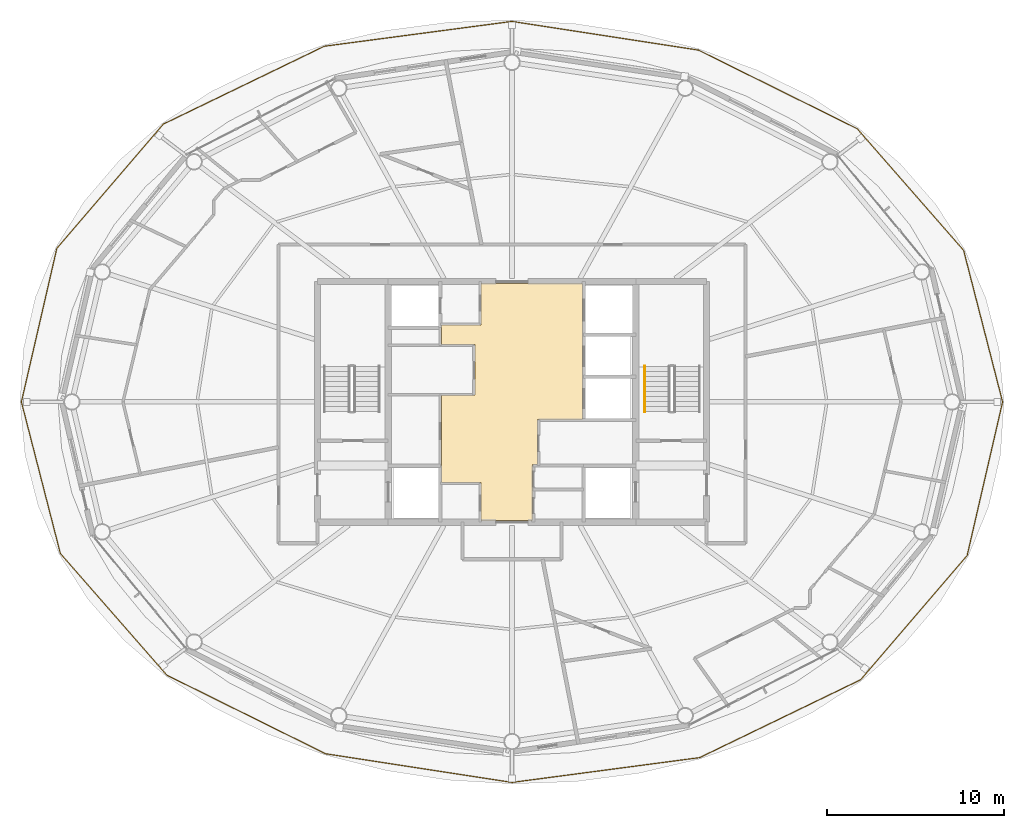
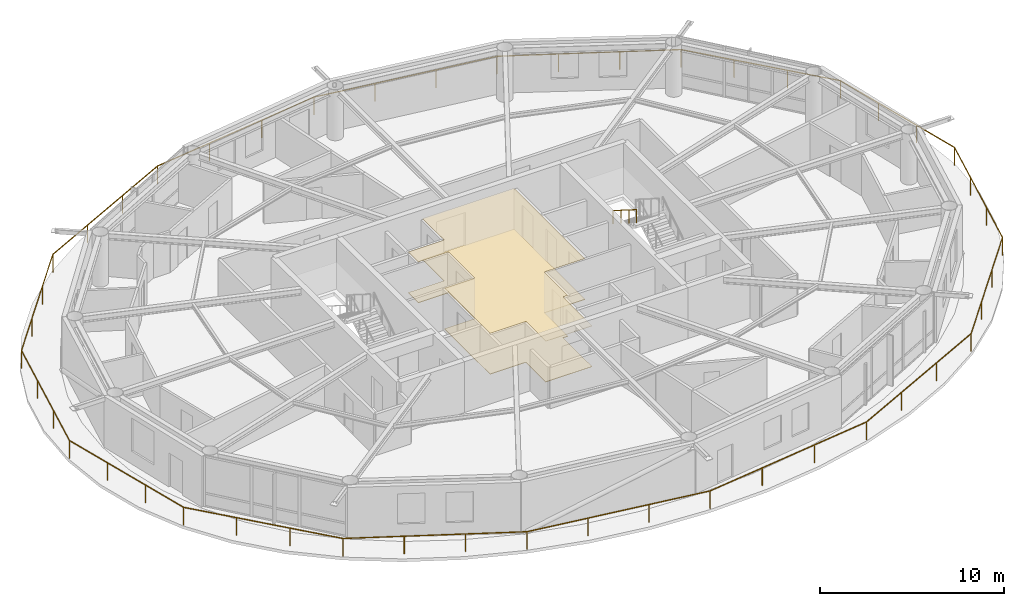
# One storey, part 20 of 21: 2 coverings, 2 railings.
"""IFC4 building model written with IfcOpenShell, lengths in metres."""

from ifc_helpers import new_model, si_unit, direction, frame, origin, origin_2d, place, context, subcontext, project, spatial, polyline, rectangle, outline, extrude, material, layer, layer_set, type_object, element, save


model = new_model("IFC4")

# Units and contexts
model_context = context("Model", 3, precision=1e-05, world=origin(), true_north=direction((0.0, 1.0)))
body_context = subcontext(model_context, "Body", "Model", "MODEL_VIEW")
ifc_project = project(units=[si_unit("LENGTHUNIT", "METRE"), si_unit("AREAUNIT", "SQUARE_METRE"), si_unit("VOLUMEUNIT", "CUBIC_METRE"), si_unit("PLANEANGLEUNIT", "RADIAN"), si_unit("MASSUNIT", "GRAM", prefix="KILO")], contexts=[model_context])

# Site, building, storey
site_placement = place(None, origin())
site = spatial("IfcSite", under=ifc_project, at=site_placement, CompositionType="ELEMENT")
building_placement = place(site_placement, origin())
building = spatial("IfcBuilding", under=site, at=building_placement, Name="Sarneth Arch Tower", CompositionType="ELEMENT")
storey_placement = place(building_placement, frame((0.0, 0.0, 309.0)))
storey = spatial("IfcBuildingStorey", under=building, at=storey_placement, Name="L80", CompositionType="ELEMENT", Elevation=309.0)

# Coverings
ifc_material_1 = material(Name="Perforated acoustic gypsum ceiling board")
ifc_layer_1 = layer(ifc_material_1, 0.02490234375)
ifc_layer_set_1 = layer_set([ifc_layer_1], Name="Perforated acoustic gypsum ceiling board")
covering_type_1 = type_object("IfcCoveringType", Name="COV-CEIL-GYP", PredefinedType="CEILING", material=ifc_layer_set_1)
covering_1_placement = place(storey_placement, frame((0.0, 0.0, 2.699951171875)))
element("IfcCovering", 1, at=covering_1_placement, inside=storey, type_object=covering_type_1, Name="L80 Lift lobby acoustic ceiling", PredefinedType="CEILING", context=body_context, shape_type="SweptSolid", body=[
    extrude(outline(polyline([(49.449951171875, 41.0), (49.449951171875, 38.449951171875), (49.14990234375, 38.449951171875), (49.14990234375, 35.300048828125), (46.25, 35.300048828125), (46.25, 37.449951171875), (44.0, 37.449951171875), (44.0, 42.39990234375), (45.89990234375, 42.39990234375), (45.89990234375, 45.25), (44.0, 45.25), (44.0, 46.35009765625), (46.25, 46.35009765625), (46.25, 48.699951171875), (52.0, 48.699951171875), (52.0, 41.0), (49.449951171875, 41.0)])), origin(), (0.0, 0.0, 1.0), 0.030029296875),
])
ifc_material_2 = material(Name="Honed granite stone flooring", Category="masonry")
ifc_layer_2 = layer(ifc_material_2, 0.030029296875)
ifc_layer_set_2 = layer_set([ifc_layer_2], Name="Honed granite stone flooring")
covering_type_2 = type_object("IfcCoveringType", Name="COV-FLR-STONE", PredefinedType="FLOORING", material=ifc_layer_set_2)
covering_2_placement = place(storey_placement, origin())
element("IfcCovering", 2, at=covering_2_placement, inside=storey, type_object=covering_type_2, Name="L80 Lift lobby granite flooring", PredefinedType="FLOORING", context=body_context, shape_type="SweptSolid", body=[
    extrude(outline(polyline([(49.449951171875, 41.0), (49.449951171875, 38.449951171875), (49.14990234375, 38.449951171875), (49.14990234375, 35.300048828125), (46.25, 35.300048828125), (46.25, 37.449951171875), (44.0, 37.449951171875), (44.0, 42.39990234375), (45.89990234375, 42.39990234375), (45.89990234375, 45.25), (44.0, 45.25), (44.0, 46.35009765625), (46.25, 46.35009765625), (46.25, 48.699951171875), (52.0, 48.699951171875), (52.0, 41.0), (49.449951171875, 41.0)])), origin(), (0.0, 0.0, 1.0), 0.030029296875),
])

# Railings
ifc_material_3 = material(Name="Laminated structural glass infill with Stainless Steel 316 top rail and posts", Category="steel")
railing_type_1 = type_object("IfcRailingType", Name="RAIL-BALC-1200", PredefinedType="BALUSTRADE", material=ifc_material_3)
railing_1_placement = place(storey_placement, frame((75.7373046875, 42.0, 0.0)))
element("IfcRailing", 3, at=railing_1_placement, inside=storey, type_object=railing_type_1, Name="L80 Helical balcony glass balustrade", PredefinedType="BALUSTRADE", context=body_context, shape_type="SweptSolid", body=[
    extrude(rectangle(XDim=0.048095703125, YDim=0.048095703125, at=origin_2d()), frame((0.0, 0.0, 1.17578125), z_axis=(-0.249041779249, 0.968492742455, 0.0), x_axis=(-0.968492742455, -0.249041779249, 0.0)), (0.0, 0.0, 1.0), 8.848388671875),
    extrude(rectangle(XDim=0.048095703125, YDim=0.048095703125, at=origin_2d()), frame((-2.20361328125, 8.569580078125, 1.17578125), z_axis=(-0.658370284695, 0.752694206322, 0.0), x_axis=(-0.752694206322, -0.658370284695, 0.0)), (0.0, 0.0, 1.0), 9.13671875),
    extrude(rectangle(XDim=0.048095703125, YDim=0.048095703125, at=origin_2d()), frame((-8.218994140625, 15.44677734375, 1.17578125), z_axis=(-0.896218487497, 0.443612919862, 0.0), x_axis=(-0.443612919862, -0.896218487497, 0.0)), (0.0, 0.0, 1.0), 10.01806640625),
    extrude(rectangle(XDim=0.048095703125, YDim=0.048095703125, at=origin_2d()), frame((-17.197265625, 19.890869140625, 1.17578125), z_axis=(-0.9883574014, 0.152150080833, 0.0), x_axis=(-0.152150080833, -0.9883574014, 0.0)), (0.0, 0.0, 1.0), 10.664306640625),
    extrude(rectangle(XDim=0.048095703125, YDim=0.048095703125, at=origin_2d()), frame((-27.7373046875, 21.513427734375, 1.17578125), z_axis=(-0.991364059069, -0.131138485525, 0.0), x_axis=(0.131138485525, -0.991364059069, 0.0)), (0.0, 0.0, 1.0), 10.701171875),
    extrude(rectangle(XDim=0.048095703125, YDim=0.048095703125, at=origin_2d()), frame((-38.345947265625, 20.110107421875, 1.17578125), z_axis=(-0.900239529813, -0.435394980405, 0.0), x_axis=(0.435394980405, -0.900239529813, 0.0)), (0.0, 0.0, 1.0), 10.114013671875),
    extrude(rectangle(XDim=0.048095703125, YDim=0.048095703125, at=origin_2d()), frame((-47.450927734375, 15.70654296875, 1.17578125), z_axis=(-0.650741391074, -0.759299441553, 0.0), x_axis=(0.759299441553, -0.650741391074, 0.0)), (0.0, 0.0, 1.0), 9.252197265625),
    extrude(rectangle(XDim=0.048095703125, YDim=0.048095703125, at=origin_2d()), frame((-53.4716796875, 8.681396484375, 1.17578125), z_axis=(-0.224809473889, -0.974402740375, 0.0), x_axis=(0.974402740375, -0.224809473889, 0.0)), (0.0, 0.0, 1.0), 8.909423828125),
    extrude(rectangle(XDim=0.048095703125, YDim=0.048095703125, at=origin_2d()), frame((-55.474609375, 0.0, 1.17578125), z_axis=(0.249041779249, -0.968492742455, 0.0), x_axis=(0.968492742455, 0.249041779249, 0.0)), (0.0, 0.0, 1.0), 8.848388671875),
    extrude(rectangle(XDim=0.048095703125, YDim=0.048095703125, at=origin_2d()), frame((-53.27099609375, -8.569580078125, 1.17578125), z_axis=(0.658370284695, -0.752694206322, 0.0), x_axis=(0.752694206322, 0.658370284695, 0.0)), (0.0, 0.0, 1.0), 9.13671875),
    extrude(rectangle(XDim=0.048095703125, YDim=0.048095703125, at=origin_2d()), frame((-47.255615234375, -15.44677734375, 1.17578125), z_axis=(0.896218487497, -0.443612919862, 0.0), x_axis=(0.443612919862, 0.896218487497, 0.0)), (0.0, 0.0, 1.0), 10.01806640625),
    extrude(rectangle(XDim=0.048095703125, YDim=0.048095703125, at=origin_2d()), frame((-38.27734375, -19.890869140625, 1.17578125), z_axis=(0.9883574014, -0.152150080833, 0.0), x_axis=(0.152150080833, 0.9883574014, 0.0)), (0.0, 0.0, 1.0), 10.664306640625),
    extrude(rectangle(XDim=0.048095703125, YDim=0.048095703125, at=origin_2d()), frame((-27.7373046875, -21.513427734375, 1.17578125), z_axis=(0.991364059069, 0.131138485525, 0.0), x_axis=(-0.131138485525, 0.991364059069, 0.0)), (0.0, 0.0, 1.0), 10.701171875),
    extrude(rectangle(XDim=0.048095703125, YDim=0.048095703125, at=origin_2d()), frame((-17.128662109375, -20.110107421875, 1.17578125), z_axis=(0.900239529813, 0.435394980405, 0.0), x_axis=(-0.435394980405, 0.900239529813, 0.0)), (0.0, 0.0, 1.0), 10.114013671875),
    extrude(rectangle(XDim=0.048095703125, YDim=0.048095703125, at=origin_2d()), frame((-8.023681640625, -15.70654296875, 1.17578125), z_axis=(0.650741391074, 0.759299441553, 0.0), x_axis=(-0.759299441553, 0.650741391074, 0.0)), (0.0, 0.0, 1.0), 9.252197265625),
    extrude(rectangle(XDim=0.048095703125, YDim=0.048095703125, at=origin_2d()), frame((-2.0029296875, -8.681396484375, 1.17578125), z_axis=(0.224809473889, 0.974402740375, 0.0), x_axis=(-0.974402740375, 0.224809473889, 0.0)), (0.0, 0.0, 1.0), 8.909423828125),
    extrude(rectangle(XDim=0.0419921875, YDim=0.0419921875, at=origin_2d()), origin(), (0.0, 0.0, 1.0), 1.15185546875),
    extrude(rectangle(XDim=0.0419921875, YDim=0.0419921875, at=origin_2d()), frame((-0.734619140625, 2.8564453125, 0.0)), (0.0, 0.0, 1.0), 1.15185546875),
    extrude(rectangle(XDim=0.0419921875, YDim=0.0419921875, at=origin_2d()), frame((-1.468994140625, 5.713134765625, 0.0)), (0.0, 0.0, 1.0), 1.15185546875),
    extrude(rectangle(XDim=0.0419921875, YDim=0.0419921875, at=origin_2d()), frame((-2.20361328125, 8.569580078125, 0.0)), (0.0, 0.0, 1.0), 1.15185546875),
    extrude(rectangle(XDim=0.0419921875, YDim=0.0419921875, at=origin_2d()), frame((-4.208740234375, 10.862060546875, 0.0)), (0.0, 0.0, 1.0), 1.15185546875),
    extrude(rectangle(XDim=0.0419921875, YDim=0.0419921875, at=origin_2d()), frame((-6.2138671875, 13.154296875, 0.0)), (0.0, 0.0, 1.0), 1.15185546875),
    extrude(rectangle(XDim=0.0419921875, YDim=0.0419921875, at=origin_2d()), frame((-8.218994140625, 15.44677734375, 0.0)), (0.0, 0.0, 1.0), 1.15185546875),
    extrude(rectangle(XDim=0.0419921875, YDim=0.0419921875, at=origin_2d()), frame((-11.211669921875, 16.92822265625, 0.0)), (0.0, 0.0, 1.0), 1.15185546875),
    extrude(rectangle(XDim=0.0419921875, YDim=0.0419921875, at=origin_2d()), frame((-14.20458984375, 18.409423828125, 0.0)), (0.0, 0.0, 1.0), 1.15185546875),
    extrude(rectangle(XDim=0.0419921875, YDim=0.0419921875, at=origin_2d()), frame((-17.197265625, 19.890869140625, 0.0)), (0.0, 0.0, 1.0), 1.15185546875),
    extrude(rectangle(XDim=0.0419921875, YDim=0.0419921875, at=origin_2d()), frame((-20.710693359375, 20.431640625, 0.0)), (0.0, 0.0, 1.0), 1.15185546875),
    extrude(rectangle(XDim=0.0419921875, YDim=0.0419921875, at=origin_2d()), frame((-24.223876953125, 20.97265625, 0.0)), (0.0, 0.0, 1.0), 1.15185546875),
    extrude(rectangle(XDim=0.0419921875, YDim=0.0419921875, at=origin_2d()), frame((-27.7373046875, 21.513427734375, 0.0)), (0.0, 0.0, 1.0), 1.15185546875),
    extrude(rectangle(XDim=0.0419921875, YDim=0.0419921875, at=origin_2d()), frame((-31.2734375, 21.045654296875, 0.0)), (0.0, 0.0, 1.0), 1.15185546875),
    extrude(rectangle(XDim=0.0419921875, YDim=0.0419921875, at=origin_2d()), frame((-34.809814453125, 20.577880859375, 0.0)), (0.0, 0.0, 1.0), 1.15185546875),
    extrude(rectangle(XDim=0.0419921875, YDim=0.0419921875, at=origin_2d()), frame((-38.345947265625, 20.110107421875, 0.0)), (0.0, 0.0, 1.0), 1.15185546875),
    extrude(rectangle(XDim=0.0419921875, YDim=0.0419921875, at=origin_2d()), frame((-41.380859375, 18.642333984375, 0.0)), (0.0, 0.0, 1.0), 1.15185546875),
    extrude(rectangle(XDim=0.0419921875, YDim=0.0419921875, at=origin_2d()), frame((-44.416015625, 17.17431640625, 0.0)), (0.0, 0.0, 1.0), 1.15185546875),
    extrude(rectangle(XDim=0.0419921875, YDim=0.0419921875, at=origin_2d()), frame((-47.450927734375, 15.70654296875, 0.0)), (0.0, 0.0, 1.0), 1.15185546875),
    extrude(rectangle(XDim=0.0419921875, YDim=0.0419921875, at=origin_2d()), frame((-49.457763671875, 13.36474609375, 0.0)), (0.0, 0.0, 1.0), 1.15185546875),
    extrude(rectangle(XDim=0.0419921875, YDim=0.0419921875, at=origin_2d()), frame((-51.46484375, 11.023193359375, 0.0)), (0.0, 0.0, 1.0), 1.15185546875),
    extrude(rectangle(XDim=0.0419921875, YDim=0.0419921875, at=origin_2d()), frame((-53.4716796875, 8.681396484375, 0.0)), (0.0, 0.0, 1.0), 1.15185546875),
    extrude(rectangle(XDim=0.0419921875, YDim=0.0419921875, at=origin_2d()), frame((-54.139404296875, 5.78759765625, 0.0)), (0.0, 0.0, 1.0), 1.15185546875),
    extrude(rectangle(XDim=0.0419921875, YDim=0.0419921875, at=origin_2d()), frame((-54.806884765625, 2.893798828125, 0.0)), (0.0, 0.0, 1.0), 1.15185546875),
    extrude(rectangle(XDim=0.0419921875, YDim=0.0419921875, at=origin_2d()), frame((-55.474609375, 0.0, 0.0)), (0.0, 0.0, 1.0), 1.15185546875),
    extrude(rectangle(XDim=0.0419921875, YDim=0.0419921875, at=origin_2d()), frame((-54.739990234375, -2.8564453125, 0.0)), (0.0, 0.0, 1.0), 1.15185546875),
    extrude(rectangle(XDim=0.0419921875, YDim=0.0419921875, at=origin_2d()), frame((-54.005615234375, -5.713134765625, 0.0)), (0.0, 0.0, 1.0), 1.15185546875),
    extrude(rectangle(XDim=0.0419921875, YDim=0.0419921875, at=origin_2d()), frame((-53.27099609375, -8.569580078125, 0.0)), (0.0, 0.0, 1.0), 1.15185546875),
    extrude(rectangle(XDim=0.0419921875, YDim=0.0419921875, at=origin_2d()), frame((-51.265869140625, -10.862060546875, 0.0)), (0.0, 0.0, 1.0), 1.15185546875),
    extrude(rectangle(XDim=0.0419921875, YDim=0.0419921875, at=origin_2d()), frame((-49.2607421875, -13.154296875, 0.0)), (0.0, 0.0, 1.0), 1.15185546875),
    extrude(rectangle(XDim=0.0419921875, YDim=0.0419921875, at=origin_2d()), frame((-47.255615234375, -15.44677734375, 0.0)), (0.0, 0.0, 1.0), 1.15185546875),
    extrude(rectangle(XDim=0.0419921875, YDim=0.0419921875, at=origin_2d()), frame((-44.262939453125, -16.92822265625, 0.0)), (0.0, 0.0, 1.0), 1.15185546875),
    extrude(rectangle(XDim=0.0419921875, YDim=0.0419921875, at=origin_2d()), frame((-41.27001953125, -18.409423828125, 0.0)), (0.0, 0.0, 1.0), 1.15185546875),
    extrude(rectangle(XDim=0.0419921875, YDim=0.0419921875, at=origin_2d()), frame((-38.27734375, -19.890869140625, 0.0)), (0.0, 0.0, 1.0), 1.15185546875),
    extrude(rectangle(XDim=0.0419921875, YDim=0.0419921875, at=origin_2d()), frame((-34.763916015625, -20.431640625, 0.0)), (0.0, 0.0, 1.0), 1.15185546875),
    extrude(rectangle(XDim=0.0419921875, YDim=0.0419921875, at=origin_2d()), frame((-31.250732421875, -20.97265625, 0.0)), (0.0, 0.0, 1.0), 1.15185546875),
    extrude(rectangle(XDim=0.0419921875, YDim=0.0419921875, at=origin_2d()), frame((-27.7373046875, -21.513427734375, 0.0)), (0.0, 0.0, 1.0), 1.15185546875),
    extrude(rectangle(XDim=0.0419921875, YDim=0.0419921875, at=origin_2d()), frame((-24.201171875, -21.045654296875, 0.0)), (0.0, 0.0, 1.0), 1.15185546875),
    extrude(rectangle(XDim=0.0419921875, YDim=0.0419921875, at=origin_2d()), frame((-20.664794921875, -20.577880859375, 0.0)), (0.0, 0.0, 1.0), 1.15185546875),
    extrude(rectangle(XDim=0.0419921875, YDim=0.0419921875, at=origin_2d()), frame((-17.128662109375, -20.110107421875, 0.0)), (0.0, 0.0, 1.0), 1.15185546875),
    extrude(rectangle(XDim=0.0419921875, YDim=0.0419921875, at=origin_2d()), frame((-14.09375, -18.642333984375, 0.0)), (0.0, 0.0, 1.0), 1.15185546875),
    extrude(rectangle(XDim=0.0419921875, YDim=0.0419921875, at=origin_2d()), frame((-11.05859375, -17.17431640625, 0.0)), (0.0, 0.0, 1.0), 1.15185546875),
    extrude(rectangle(XDim=0.0419921875, YDim=0.0419921875, at=origin_2d()), frame((-8.023681640625, -15.70654296875, 0.0)), (0.0, 0.0, 1.0), 1.15185546875),
    extrude(rectangle(XDim=0.0419921875, YDim=0.0419921875, at=origin_2d()), frame((-6.016845703125, -13.36474609375, 0.0)), (0.0, 0.0, 1.0), 1.15185546875),
    extrude(rectangle(XDim=0.0419921875, YDim=0.0419921875, at=origin_2d()), frame((-4.009765625, -11.023193359375, 0.0)), (0.0, 0.0, 1.0), 1.15185546875),
    extrude(rectangle(XDim=0.0419921875, YDim=0.0419921875, at=origin_2d()), frame((-2.0029296875, -8.681396484375, 0.0)), (0.0, 0.0, 1.0), 1.15185546875),
    extrude(rectangle(XDim=0.0419921875, YDim=0.0419921875, at=origin_2d()), frame((-1.335205078125, -5.78759765625, 0.0)), (0.0, 0.0, 1.0), 1.15185546875),
    extrude(rectangle(XDim=0.0419921875, YDim=0.0419921875, at=origin_2d()), frame((-0.667724609375, -2.893798828125, 0.0)), (0.0, 0.0, 1.0), 1.15185546875),
])
ifc_material_4 = material(Name="Brushed Stainless Steel 304 tubular handrail", Category="steel")
railing_type_2 = type_object("IfcRailingType", Name="RAIL-HANDRAIL-900", PredefinedType="HANDRAIL", material=ifc_material_4)
railing_2_placement = place(storey_placement, frame((55.5, 44.014892578125, 1.97998046875)))
element("IfcRailing", 4, at=railing_2_placement, inside=storey, type_object=railing_type_2, Name="L80 ST-2 stair handrail 2", PredefinedType="HANDRAIL", context=body_context, shape_type="SweptSolid", body=[
    extrude(rectangle(XDim=0.048095703125, YDim=0.048095703125, at=origin_2d()), frame((0.0, 0.0, 0.8759765625), z_axis=(0.0, -0.845465955043, 0.534029323973), x_axis=(1.0, 0.0, 0.0)), (0.0, 0.0, 1.0), 3.03369140625),
    extrude(rectangle(XDim=0.0419921875, YDim=0.0419921875, at=origin_2d()), origin(), (0.0, 0.0, 1.0), 0.851806640625),
    extrude(rectangle(XDim=0.0419921875, YDim=0.0419921875, at=origin_2d()), frame((0.0, -0.85498046875, 0.5400390625)), (0.0, 0.0, 1.0), 0.851806640625),
    extrude(rectangle(XDim=0.0419921875, YDim=0.0419921875, at=origin_2d()), frame((0.0, -1.7099609375, 1.080078125)), (0.0, 0.0, 1.0), 0.851806640625),
    extrude(rectangle(XDim=0.0419921875, YDim=0.0419921875, at=origin_2d()), frame((0.0, -2.56494140625, 1.6201171875)), (0.0, 0.0, 1.0), 0.851806640625),
])

save(model, "model.ifc")
